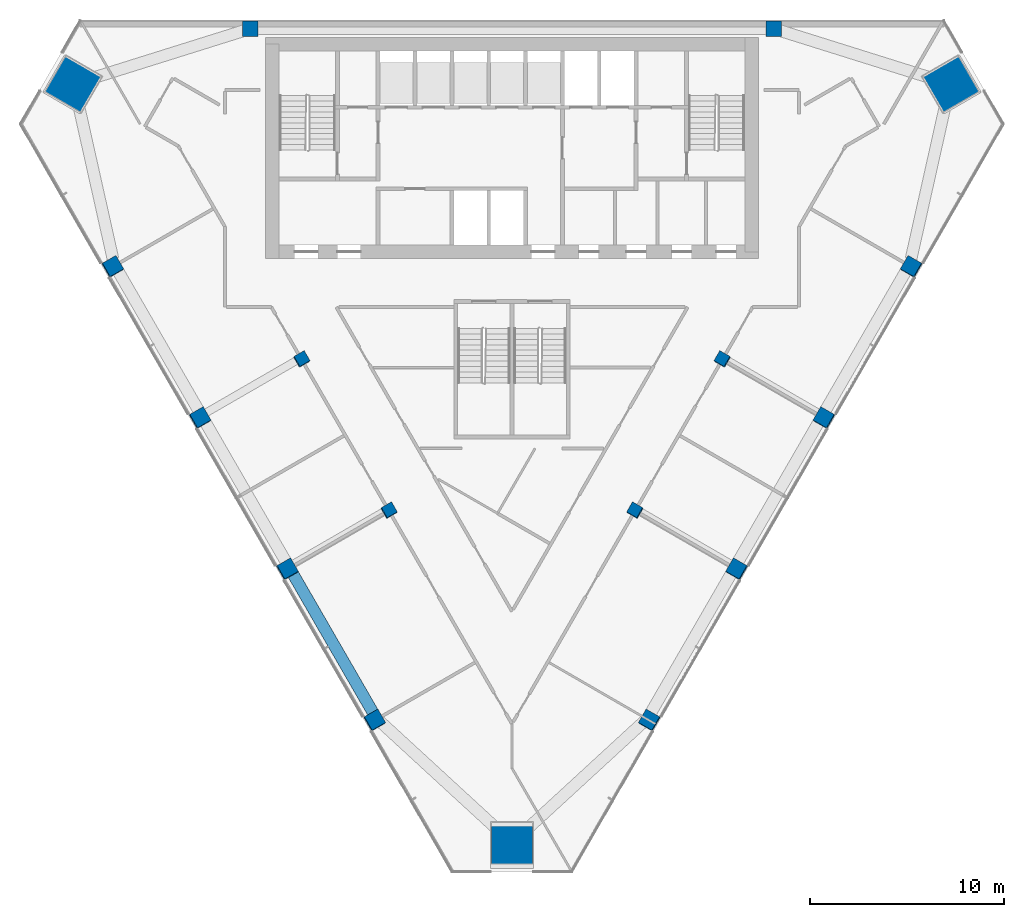
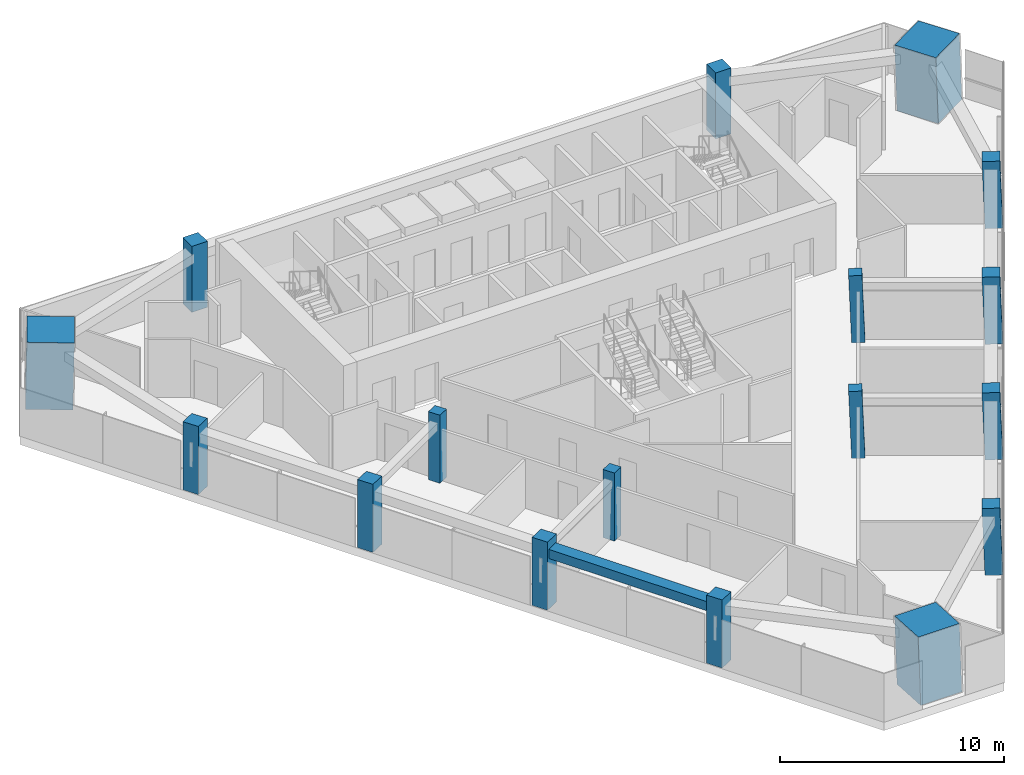
# One storey, part 1 of 12: 17 columns, 1 beam.
"""IFC4 building model written with IfcOpenShell, lengths in metres."""

from ifc_helpers import new_model, si_unit, direction, frame, origin, origin_2d, place, context, subcontext, project, spatial, rectangle, extrude, material, material_profile, profile_set, type_object, element, save


model = new_model("IFC4")

# Units and contexts
model_context = context("Model", 3, precision=1e-05, world=origin(), true_north=direction((0.0, 1.0)))
body_context = subcontext(model_context, "Body", "Model", "MODEL_VIEW")
ifc_project = project(units=[si_unit("LENGTHUNIT", "METRE"), si_unit("AREAUNIT", "SQUARE_METRE"), si_unit("VOLUMEUNIT", "CUBIC_METRE"), si_unit("PLANEANGLEUNIT", "RADIAN"), si_unit("MASSUNIT", "GRAM", prefix="KILO")], contexts=[model_context])

# Site, building, storey
site_placement = place(None, origin())
site = spatial("IfcSite", under=ifc_project, at=site_placement, CompositionType="ELEMENT")
building_placement = place(site_placement, origin())
building = spatial("IfcBuilding", under=site, at=building_placement, Name="Altiplano Prism Tower", CompositionType="ELEMENT")
storey_placement = place(building_placement, frame((0.0, 0.0, 205.199951171875)))
storey = spatial("IfcBuildingStorey", under=building, at=storey_placement, Name="L53", CompositionType="ELEMENT", Elevation=205.199951171875)

# Columns
ifc_material_1 = material(Name="Concrete C60/75", Category="concrete")
ifc_material_profile_1 = material_profile(ifc_material_1, rectangle(XDim=0.60009765625, YDim=0.60009765625, at=origin_2d()), Name="Inner column 600")
ifc_profile_set_1 = profile_set([ifc_material_profile_1], Name="Concrete C60/75")
column_type_1 = type_object("IfcColumnType", Name="Inner column 600", PredefinedType="COLUMN", material=ifc_profile_set_1)
for number, where, z_axis, x_axis, name in (
    (1, (74.151611328125, 87.50439453125, -0.01806640625), (0.022222852987, 0.038483477124, 0.999012095419), (-0.865636663349, -0.499191375154, 0.038485556234), "Inner column I12 L53"),
    (2, (78.651611328125, 79.710205078125, -0.01806640625), (0.022222852987, 0.038483477124, 0.999012095419), (-0.865639352107, -0.499186721818, 0.038485436791), "Inner column I13 L53"),
    (3, (91.348388671875, 79.710205078125, -0.01806640625), (-0.022222852987, 0.038483477124, 0.999012095419), (-0.500174626395, -0.865639439229, 0.022219459073), "Inner column I22 L53"),
    (4, (95.848388671875, 87.50439453125, -0.01806640625), (-0.022222852987, 0.038483477124, 0.999012095419), (-0.500179279731, -0.865636755782, 0.022219252189), "Inner column I23 L53"),
):
    element("IfcColumn", number, at=place(storey_placement, frame(where, z_axis=z_axis, x_axis=x_axis)), inside=storey, type_object=column_type_1, Name=name, PredefinedType="COLUMN", context=body_context, shape_type="SweptSolid", body=[
        extrude(rectangle(XDim=0.60009765625, YDim=0.60009765625, at=origin_2d()), origin(), (0.0, 0.0, 1.0), 3.603515625),
    ])
ifc_material_2 = material(Name="Concrete C70/85", Category="concrete")
ifc_material_profile_2 = material_profile(ifc_material_2, rectangle(XDim=2.1201171875, YDim=2.1201171875, at=origin_2d()), Name="Mega column infill 2200")
ifc_profile_set_2 = profile_set([ifc_material_profile_2], Name="Concrete C70/85")
column_type_2 = type_object("IfcColumnType", Name="Mega column infill 2200", PredefinedType="COLUMN", material=ifc_profile_set_2)
column_1_placement = place(storey_placement, frame((62.314208984375, 101.669677734375, 0.0), z_axis=(0.028401814599, 0.009218727412, 0.999554076572), x_axis=(-0.865120088362, 0.501167477907, 0.019959754512)))
element("IfcColumn", 5, at=column_1_placement, inside=storey, type_object=column_type_2, Name="Mega column M0 L53", PredefinedType="COLUMN", context=body_context, shape_type="SweptSolid", body=[
    extrude(rectangle(XDim=2.1201171875, YDim=2.1201171875, at=origin_2d()), origin(), (0.0, 0.0, 1.0), 3.601806640625),
])
column_2_placement = place(storey_placement, frame((85.0, 62.376708984375, 0.0), z_axis=(0.0, 0.058356907999, 0.998295783467), x_axis=(-1.0, 0.0, 0.0)))
element("IfcColumn", 6, at=column_2_placement, inside=storey, type_object=column_type_2, Name="Mega column M1 L53", PredefinedType="COLUMN", context=body_context, shape_type="SweptSolid", body=[
    extrude(rectangle(XDim=2.1201171875, YDim=2.1201171875, at=origin_2d()), origin(), (0.0, 0.0, 1.0), 3.606201171875),
])
column_3_placement = place(storey_placement, frame((107.685791015625, 101.669677734375, 0.0), z_axis=(-0.028401814599, 0.009218727412, 0.999554076572), x_axis=(0.500757500682, -0.86530264755, 0.022209314584)))
element("IfcColumn", 7, at=column_3_placement, inside=storey, type_object=column_type_2, Name="Mega column M2 L53", PredefinedType="COLUMN", context=body_context, shape_type="SweptSolid", body=[
    extrude(rectangle(XDim=2.1201171875, YDim=2.1201171875, at=origin_2d()), origin(), (0.0, 0.0, 1.0), 3.601806640625),
])
ifc_material_profile_3 = material_profile(ifc_material_1, rectangle(XDim=0.800048828125, YDim=0.800048828125, at=origin_2d()), Name="Perimeter column 800")
ifc_profile_set_3 = profile_set([ifc_material_profile_3], Name="Concrete C60/75")
column_type_3 = type_object("IfcColumnType", Name="Perimeter column 800", PredefinedType="COLUMN", material=ifc_profile_set_3)
for number, where, z_axis, x_axis, name in (
    (8, (98.5, 104.550048828125, 0.0), (0.0, 0.0, 1.0), (1.0, 0.0, 0.0), "Perimeter column P01 L53"),
    (9, (71.5, 104.550048828125, 0.0), (0.0, 0.0, 1.0), (1.0, 0.0, 0.0), "Perimeter column P04 L53"),
):
    element("IfcColumn", number, at=place(storey_placement, frame(where, z_axis=z_axis, x_axis=x_axis)), inside=storey, type_object=column_type_3, Name=name, PredefinedType="COLUMN", context=body_context, shape_type="SweptSolid", body=[
        extrude(rectangle(XDim=0.800048828125, YDim=0.800048828125, at=origin_2d()), origin(), (0.0, 0.0, 1.0), 3.60009765625),
    ])
for number, where, z_axis, x_axis, name in (
    (10, (64.412109375, 92.2734375, -0.024169921875), (0.022222852987, 0.038483477124, 0.999012095419), (-0.865636672078, -0.499191360046, 0.038485555846), "Perimeter column P11 L53"),
    (11, (68.912109375, 84.479248046875, -0.024169921875), (0.022222910879, 0.038415824599, 0.999014697916), (-0.866018645871, -0.498532312818, 0.038434855016), "Perimeter column P12 L53"),
    (12, (73.412109375, 76.68505859375, -0.024169921875), (0.022222910879, 0.038415824599, 0.999014697916), (-0.866021331072, -0.498527657424, 0.038434735731), "Perimeter column P13 L53"),
    (13, (77.912109375, 68.890869140625, -0.024169921875), (0.022222910879, 0.038415824599, 0.999014697916), (-0.866021331072, -0.498527657424, 0.038434735731), "Perimeter column P14 L53"),
    (14, (92.087890625, 68.890869140625, -0.024169921875), (-0.022222910879, 0.038415824599, 0.999014697916), (-0.499512959151, -0.866022170157, 0.022190187852), "Perimeter column P21 L53"),
    (15, (96.587890625, 76.68505859375, -0.024169921875), (-0.022222910879, 0.038415824599, 0.999014697916), (-0.499512959151, -0.866022170157, 0.022190187852), "Perimeter column P22 L53"),
    (16, (101.087890625, 84.479248046875, -0.024169921875), (-0.022222910879, 0.038415824599, 0.999014697916), (-0.49951761454, -0.866019490252, 0.022189981241), "Perimeter column P23 L53"),
    (17, (105.587890625, 92.2734375, -0.024169921875), (-0.022222852987, 0.038483477124, 0.999012095419), (-0.500179264622, -0.865636764494, 0.022219252861), "Perimeter column P24 L53"),
):
    element("IfcColumn", number, at=place(storey_placement, frame(where, z_axis=z_axis, x_axis=x_axis)), inside=storey, type_object=column_type_3, Name=name, PredefinedType="COLUMN", context=body_context, shape_type="SweptSolid", body=[
        extrude(rectangle(XDim=0.800048828125, YDim=0.800048828125, at=origin_2d()), origin(), (0.0, 0.0, 1.0), 3.603515625),
    ])

# Beam
ifc_material_profile_4 = material_profile(ifc_material_1, rectangle(XDim=0.60009765625, YDim=0.5, at=origin_2d()), Name="Edge beam 600x500")
ifc_profile_set_4 = profile_set([ifc_material_profile_4], Name="Concrete C60/75")
beam_type = type_object("IfcBeamType", Name="Edge beam 600x500", PredefinedType="SPANDREL", material=ifc_profile_set_4)
beam_placement = place(storey_placement, frame((73.632568359375, 76.58203125, 2.900146484375), z_axis=(0.499993714791, -0.866029032521, 0.0), x_axis=(0.866029032521, 0.499993714791, 0.0)))
element("IfcBeam", 18, at=beam_placement, inside=storey, type_object=beam_type, Name="Edge beam P13-P14 L54", PredefinedType="SPANDREL", context=body_context, shape_type="SweptSolid", body=[
    extrude(rectangle(XDim=0.60009765625, YDim=0.5, at=origin_2d()), origin(), (0.0, 0.0, 1.0), 8.43994140625),
])

save(model, "model.ifc")
